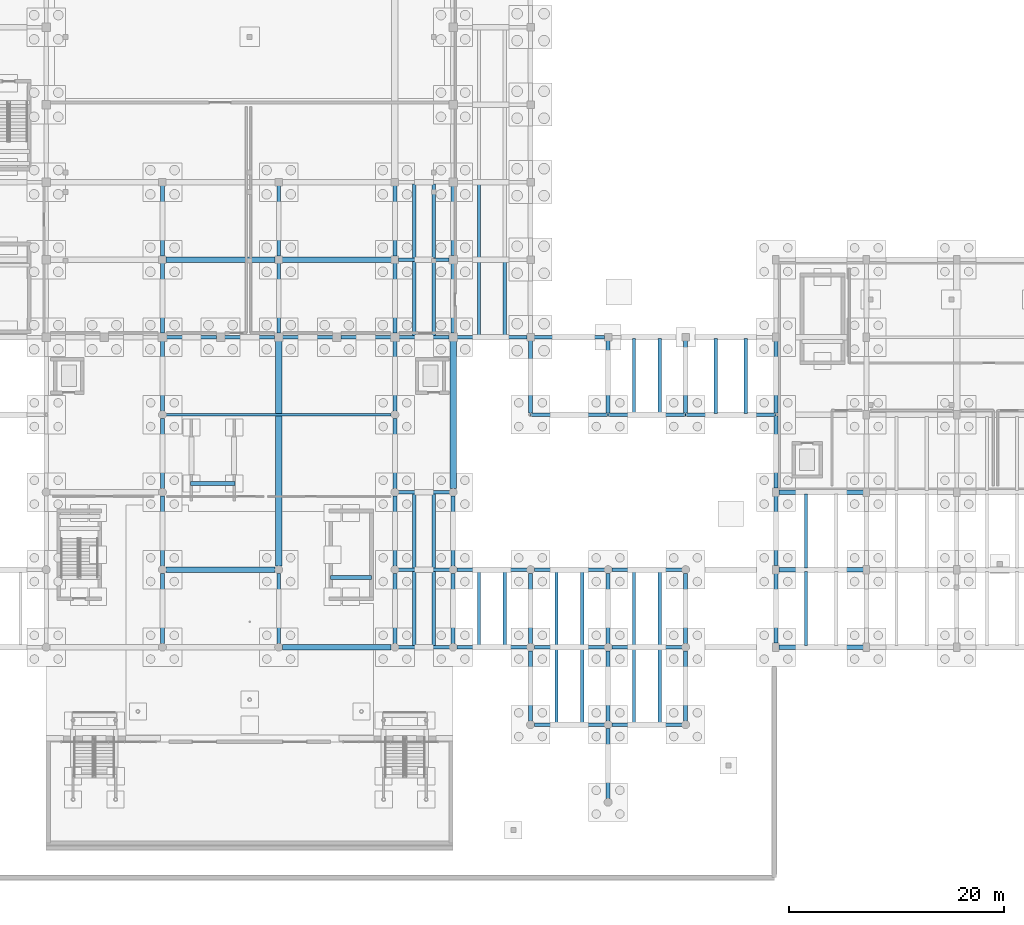
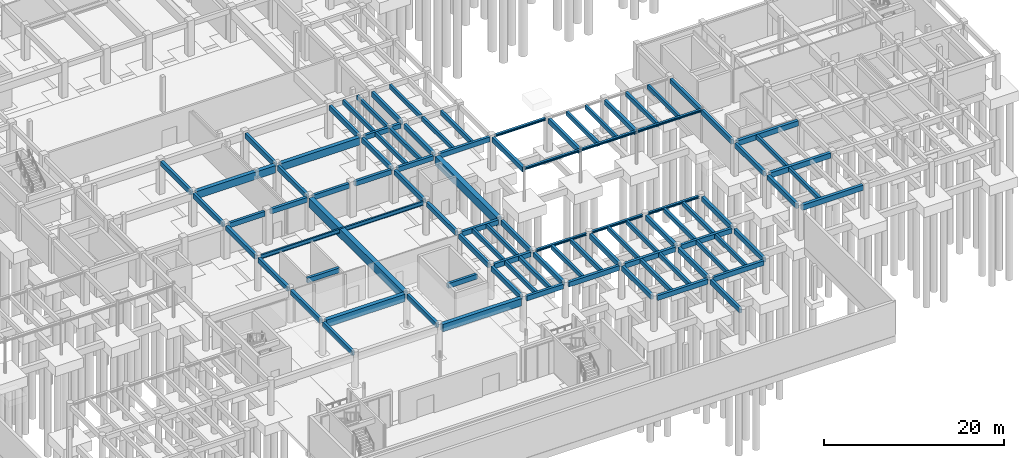
# One storey, part 20 of 46: 94 beams.
"""IFC4 building model written with IfcOpenShell, lengths in metres."""

from ifc_helpers import new_model, si_unit, direction, frame, origin, origin_2d, place, context, subcontext, project, spatial, rectangle, i_section, extrude, material, material_profile, profile_set, type_object, element, save


model = new_model("IFC4")

# Units and contexts
model_context = context("Model", 3, precision=1e-05, world=origin(), true_north=direction((0.0, 1.0)))
body_context = subcontext(model_context, "Body", "Model", "MODEL_VIEW")
ifc_project = project(units=[si_unit("LENGTHUNIT", "METRE"), si_unit("AREAUNIT", "SQUARE_METRE"), si_unit("VOLUMEUNIT", "CUBIC_METRE"), si_unit("PLANEANGLEUNIT", "RADIAN"), si_unit("MASSUNIT", "GRAM", prefix="KILO")], contexts=[model_context])

# Site, building, storey
site_placement = place(None, origin())
site = spatial("IfcSite", under=ifc_project, at=site_placement, CompositionType="ELEMENT")
building_placement = place(site_placement, origin())
building = spatial("IfcBuilding", under=site, at=building_placement, Name="Tazoul Stagehouse", CompositionType="ELEMENT")
storey_placement = place(building_placement, frame((0.0, 0.0, -4.800048828125)))
storey = spatial("IfcBuildingStorey", under=building, at=storey_placement, Name="B1", CompositionType="ELEMENT", Elevation=-4.800048828125)

# Beams
ifc_material_1 = material(Name="Concrete C40/50", Category="concrete")
ifc_material_profile_1 = material_profile(ifc_material_1, rectangle(XDim=0.60009765625, YDim=1.199951171875, at=origin_2d()), Name="RC 600x1200")
ifc_profile_set_1 = profile_set([ifc_material_profile_1], Name="Concrete C40/50")
beam_type_1 = type_object("IfcBeamType", Name="RC Long-Span Girder 600x1200", PredefinedType="BEAM", material=ifc_profile_set_1)
beam_1_placement = place(storey_placement, frame((79.199951171875, 30.550048828125, 3.91796875), z_axis=(0.0, 1.0, 0.0), x_axis=(-1.0, 0.0, 0.0)))
element("IfcBeam", 1, at=beam_1_placement, inside=storey, type_object=beam_type_1, Name="B1 Beam BM-05 12/E-H", PredefinedType="BEAM", context=body_context, shape_type="SweptSolid", body=[
    extrude(rectangle(XDim=0.60009765625, YDim=1.199951171875, at=origin_2d()), origin(), (0.0, 0.0, 1.0), 20.875),
])
ifc_material_profile_2 = material_profile(ifc_material_1, rectangle(XDim=0.60009765625, YDim=1.199951171875, at=origin_2d()), Name="RC 600x1200")
ifc_profile_set_2 = profile_set([ifc_material_profile_2], Name="Concrete C40/50")
beam_type_2 = type_object("IfcBeamType", Name="RC Long-Span Girder 600x1200 (Exterior)", PredefinedType="BEAM", material=ifc_profile_set_2)
beam_2_placement = place(storey_placement, frame((95.39990234375, 37.75, 3.91796875), z_axis=(0.0, 1.0, 0.0), x_axis=(-1.0, 0.0, 0.0)))
element("IfcBeam", 2, at=beam_2_placement, inside=storey, type_object=beam_type_2, Name="B1 Beam BM-05E 15/F-H", PredefinedType="BEAM", context=body_context, shape_type="SweptSolid", body=[
    extrude(rectangle(XDim=0.60009765625, YDim=1.199951171875, at=origin_2d()), origin(), (0.0, 0.0, 1.0), 13.675048828125),
])
ifc_material_profile_3 = material_profile(ifc_material_1, rectangle(XDim=0.35009765625, YDim=0.64990234375, at=origin_2d()), Name="RC 350x650")
ifc_profile_set_3 = profile_set([ifc_material_profile_3], Name="Concrete C40/50")
beam_type_3 = type_object("IfcBeamType", Name="RC Perimeter Spandrel 350x650 (Exterior)", PredefinedType="SPANDREL", material=ifc_profile_set_3)
for number, where, z_axis, x_axis, name in (
    (3, (95.39990234375, 30.550048828125, 4.213134765625), (0.0, 1.0, 0.0), (-1.0, 0.0, 0.0), "B1 Beam SP-01E 15/E-F"),
    (4, (117.0, 16.14990234375, 4.213134765625), (0.0, 1.0, 0.0), (-1.0, 0.0, 0.0), "B1 Beam SP-01E 18/C-D"),
    (5, (117.0, 23.35009765625, 4.213134765625), (0.0, 1.0, 0.0), (-1.0, 0.0, 0.0), "B1 Beam SP-01E 18/D-E"),
):
    element("IfcBeam", number, at=place(storey_placement, frame(where, z_axis=z_axis, x_axis=x_axis)), inside=storey, type_object=beam_type_3, Name=name, PredefinedType="SPANDREL", context=body_context, shape_type="SweptSolid", body=[
        extrude(rectangle(XDim=0.35009765625, YDim=0.64990234375, at=origin_2d()), origin(), (0.0, 0.0, 1.0), 6.5),
    ])
for number, where, z_axis, x_axis, name in (
    (6, (125.39990234375, 23.375, 4.193115234375), (0.0, 1.0, 0.0), (-1.0, 0.0, 0.0), "B1 Beam SP-01E 19/D-E"),
    (7, (125.39990234375, 30.574951171875, 4.193115234375), (0.0, 1.0, 0.0), (-1.0, 0.0, 0.0), "B1 Beam SP-01E 19/E-F"),
):
    element("IfcBeam", number, at=place(storey_placement, frame(where, z_axis=z_axis, x_axis=x_axis)), inside=storey, type_object=beam_type_3, Name=name, PredefinedType="SPANDREL", context=body_context, shape_type="SweptSolid", body=[
        extrude(rectangle(XDim=0.35009765625, YDim=0.64990234375, at=origin_2d()), origin(), (0.0, 0.0, 1.0), 6.449951171875),
    ])
beam_3_placement = place(storey_placement, frame((125.39990234375, 37.77490234375, 4.193115234375), z_axis=(0.0, 1.0, 0.0), x_axis=(-1.0, 0.0, 0.0)))
element("IfcBeam", 8, at=beam_3_placement, inside=storey, type_object=beam_type_3, Name="B1 Beam SP-01E 19/F-G", PredefinedType="SPANDREL", context=body_context, shape_type="SweptSolid", body=[
    extrude(rectangle(XDim=0.35009765625, YDim=0.64990234375, at=origin_2d()), origin(), (0.0, 0.0, 1.0), 6.688232421875),
])
ifc_material_profile_4 = material_profile(ifc_material_1, rectangle(XDim=0.35009765625, YDim=0.64990234375, at=origin_2d()), Name="RC 350x650")
ifc_profile_set_4 = profile_set([ifc_material_profile_4], Name="Concrete C40/50")
beam_type_4 = type_object("IfcBeamType", Name="RC Primary Girder 350x650", PredefinedType="BEAM", material=ifc_profile_set_4)
for number, where, z_axis, x_axis, name in (
    (9, (102.949951171875, 15.800048828125, 4.213134765625), (1.0, 0.0, 0.0), (0.0, 1.0, 0.0), "B1 Beam BM-01 C/16-17"),
    (10, (110.14990234375, 15.800048828125, 4.213134765625), (1.0, 0.0, 0.0), (0.0, 1.0, 0.0), "B1 Beam BM-01 C/17-18"),
):
    element("IfcBeam", number, at=place(storey_placement, frame(where, z_axis=z_axis, x_axis=x_axis)), inside=storey, type_object=beam_type_4, Name=name, PredefinedType="BEAM", context=body_context, shape_type="SweptSolid", body=[
        extrude(rectangle(XDim=0.35009765625, YDim=0.64990234375, at=origin_2d()), origin(), (0.0, 0.0, 1.0), 6.5),
    ])
beam_4_placement = place(storey_placement, frame((90.35009765625, 23.0, 4.213134765625), z_axis=(1.0, 0.0, 0.0), x_axis=(0.0, 1.0, 0.0)))
element("IfcBeam", 11, at=beam_4_placement, inside=storey, type_object=beam_type_4, Name="B1 Beam BM-01 D/14-15", PredefinedType="BEAM", context=body_context, shape_type="SweptSolid", body=[
    extrude(rectangle(XDim=0.35009765625, YDim=0.64990234375, at=origin_2d()), origin(), (0.0, 0.0, 1.0), 4.699951171875),
])
for number, where, z_axis, x_axis, name in (
    (12, (95.75, 23.0, 4.213134765625), (1.0, 0.0, 0.0), (0.0, 1.0, 0.0), "B1 Beam BM-01 D/15-16"),
    (13, (102.949951171875, 23.0, 4.213134765625), (1.0, 0.0, 0.0), (0.0, 1.0, 0.0), "B1 Beam BM-01 D/16-17"),
    (14, (110.14990234375, 23.0, 4.213134765625), (1.0, 0.0, 0.0), (0.0, 1.0, 0.0), "B1 Beam BM-01 D/17-18"),
):
    element("IfcBeam", number, at=place(storey_placement, frame(where, z_axis=z_axis, x_axis=x_axis)), inside=storey, type_object=beam_type_4, Name=name, PredefinedType="BEAM", context=body_context, shape_type="SweptSolid", body=[
        extrude(rectangle(XDim=0.35009765625, YDim=0.64990234375, at=origin_2d()), origin(), (0.0, 0.0, 1.0), 6.5),
    ])
for number, where, z_axis, x_axis, name in (
    (15, (90.35009765625, 30.199951171875, 4.213134765625), (1.0, 0.0, 0.0), (0.0, 1.0, 0.0), "B1 Beam BM-01 E/14-15"),
    (16, (90.35009765625, 37.39990234375, 4.213134765625), (1.0, 0.0, 0.0), (0.0, 1.0, 0.0), "B1 Beam BM-01 F/14-15"),
):
    element("IfcBeam", number, at=place(storey_placement, frame(where, z_axis=z_axis, x_axis=x_axis)), inside=storey, type_object=beam_type_4, Name=name, PredefinedType="BEAM", context=body_context, shape_type="SweptSolid", body=[
        extrude(rectangle(XDim=0.35009765625, YDim=0.64990234375, at=origin_2d()), origin(), (0.0, 0.0, 1.0), 4.699951171875),
    ])
beam_5_placement = place(storey_placement, frame((68.77490234375, 51.800048828125, 4.193115234375), z_axis=(1.0, 0.0, 0.0), x_axis=(0.0, 1.0, 0.0)))
element("IfcBeam", 17, at=beam_5_placement, inside=storey, type_object=beam_type_4, Name="B1 Beam BM-01 H/10-11", PredefinedType="BEAM", context=body_context, shape_type="SweptSolid", body=[
    extrude(rectangle(XDim=0.35009765625, YDim=0.64990234375, at=origin_2d()), origin(), (0.0, 0.0, 1.0), 4.650146484375),
])
beam_6_placement = place(storey_placement, frame((74.175048828125, 51.800048828125, 4.193115234375), z_axis=(1.0, 0.0, 0.0), x_axis=(0.0, 1.0, 0.0)))
element("IfcBeam", 18, at=beam_6_placement, inside=storey, type_object=beam_type_4, Name="B1 Beam BM-01 H/11-12", PredefinedType="BEAM", context=body_context, shape_type="SweptSolid", body=[
    extrude(rectangle(XDim=0.35009765625, YDim=0.64990234375, at=origin_2d()), origin(), (0.0, 0.0, 1.0), 4.64990234375),
])
beam_7_placement = place(storey_placement, frame((79.574951171875, 51.800048828125, 4.193115234375), z_axis=(1.0, 0.0, 0.0), x_axis=(0.0, 1.0, 0.0)))
element("IfcBeam", 19, at=beam_7_placement, inside=storey, type_object=beam_type_4, Name="B1 Beam BM-01 H/12-13", PredefinedType="BEAM", context=body_context, shape_type="SweptSolid", body=[
    extrude(rectangle(XDim=0.35009765625, YDim=0.64990234375, at=origin_2d()), origin(), (0.0, 0.0, 1.0), 4.650146484375),
])
for number, where, z_axis, x_axis, name in (
    (20, (84.97509765625, 51.800048828125, 4.193115234375), (1.0, 0.0, 0.0), (0.0, 1.0, 0.0), "B1 Beam BM-01 H/13-14"),
    (21, (90.375, 51.800048828125, 4.193115234375), (1.0, 0.0, 0.0), (0.0, 1.0, 0.0), "B1 Beam BM-01 H/14-15"),
):
    element("IfcBeam", number, at=place(storey_placement, frame(where, z_axis=z_axis, x_axis=x_axis)), inside=storey, type_object=beam_type_4, Name=name, PredefinedType="BEAM", context=body_context, shape_type="SweptSolid", body=[
        extrude(rectangle(XDim=0.35009765625, YDim=0.64990234375, at=origin_2d()), origin(), (0.0, 0.0, 1.0), 4.64990234375),
    ])
beam_8_placement = place(storey_placement, frame((95.77490234375, 51.800048828125, 4.193115234375), z_axis=(1.0, 0.0, 0.0), x_axis=(0.0, 1.0, 0.0)))
element("IfcBeam", 22, at=beam_8_placement, inside=storey, type_object=beam_type_4, Name="B1 Beam BM-01 H/15-16", PredefinedType="BEAM", context=body_context, shape_type="SweptSolid", body=[
    extrude(rectangle(XDim=0.35009765625, YDim=0.64990234375, at=origin_2d()), origin(), (0.0, 0.0, 1.0), 6.5),
])
beam_9_placement = place(storey_placement, frame((90.324951171875, 59.0, 4.193115234375), z_axis=(1.0, 0.0, 0.0), x_axis=(0.0, 1.0, 0.0)))
element("IfcBeam", 23, at=beam_9_placement, inside=storey, type_object=beam_type_4, Name="B1 Beam BM-01 J/14-15", PredefinedType="BEAM", context=body_context, shape_type="SweptSolid", body=[
    extrude(rectangle(XDim=0.35009765625, YDim=0.64990234375, at=origin_2d()), origin(), (0.0, 0.0, 1.0), 4.699951171875),
])
for number, where, z_axis, x_axis, name in (
    (24, (68.39990234375, 23.35009765625, 4.213134765625), (0.0, 1.0, 0.0), (-1.0, 0.0, 0.0), "B1 Beam BM-01 10/D-E"),
    (25, (68.39990234375, 30.550048828125, 4.213134765625), (0.0, 1.0, 0.0), (-1.0, 0.0, 0.0), "B1 Beam BM-01 10/E-F"),
    (26, (68.39990234375, 37.75, 4.213134765625), (0.0, 1.0, 0.0), (-1.0, 0.0, 0.0), "B1 Beam BM-01 10/F-G"),
):
    element("IfcBeam", number, at=place(storey_placement, frame(where, z_axis=z_axis, x_axis=x_axis)), inside=storey, type_object=beam_type_4, Name=name, PredefinedType="BEAM", context=body_context, shape_type="SweptSolid", body=[
        extrude(rectangle(XDim=0.35009765625, YDim=0.64990234375, at=origin_2d()), origin(), (0.0, 0.0, 1.0), 6.5),
    ])
beam_10_placement = place(storey_placement, frame((68.39990234375, 44.949951171875, 4.193115234375), z_axis=(0.0, 1.0, 0.0), x_axis=(-1.0, 0.0, 0.0)))
element("IfcBeam", 27, at=beam_10_placement, inside=storey, type_object=beam_type_4, Name="B1 Beam BM-01 10/G-H", PredefinedType="BEAM", context=body_context, shape_type="SweptSolid", body=[
    extrude(rectangle(XDim=0.35009765625, YDim=0.64990234375, at=origin_2d()), origin(), (0.0, 0.0, 1.0), 6.47509765625),
])
beam_11_placement = place(storey_placement, frame((68.39990234375, 52.175048828125, 4.193115234375), z_axis=(0.0, 1.0, 0.0), x_axis=(-1.0, 0.0, 0.0)))
element("IfcBeam", 28, at=beam_11_placement, inside=storey, type_object=beam_type_4, Name="B1 Beam BM-01 10/H-J", PredefinedType="BEAM", context=body_context, shape_type="SweptSolid", body=[
    extrude(rectangle(XDim=0.35009765625, YDim=0.64990234375, at=origin_2d()), origin(), (0.0, 0.0, 1.0), 6.5),
])
beam_12_placement = place(storey_placement, frame((68.39990234375, 59.324951171875, 4.193115234375), z_axis=(0.0, 1.0, 0.0), x_axis=(-1.0, 0.0, 0.0)))
element("IfcBeam", 29, at=beam_12_placement, inside=storey, type_object=beam_type_4, Name="B1 Beam BM-01 10/J-K", PredefinedType="BEAM", context=body_context, shape_type="SweptSolid", body=[
    extrude(rectangle(XDim=0.35009765625, YDim=0.64990234375, at=origin_2d()), origin(), (0.0, 0.0, 1.0), 6.550048828125),
])
for number, where, z_axis, x_axis, name in (
    (30, (79.199951171875, 23.35009765625, 4.213134765625), (0.0, 1.0, 0.0), (-1.0, 0.0, 0.0), "B1 Beam BM-01 12/D-E"),
    (31, (79.199951171875, 52.175048828125, 4.193115234375), (0.0, 1.0, 0.0), (-1.0, 0.0, 0.0), "B1 Beam BM-01 12/H-J"),
):
    element("IfcBeam", number, at=place(storey_placement, frame(where, z_axis=z_axis, x_axis=x_axis)), inside=storey, type_object=beam_type_4, Name=name, PredefinedType="BEAM", context=body_context, shape_type="SweptSolid", body=[
        extrude(rectangle(XDim=0.35009765625, YDim=0.64990234375, at=origin_2d()), origin(), (0.0, 0.0, 1.0), 6.5),
    ])
beam_13_placement = place(storey_placement, frame((79.199951171875, 59.324951171875, 4.193115234375), z_axis=(0.0, 1.0, 0.0), x_axis=(-1.0, 0.0, 0.0)))
element("IfcBeam", 32, at=beam_13_placement, inside=storey, type_object=beam_type_4, Name="B1 Beam BM-01 12/J-K", PredefinedType="BEAM", context=body_context, shape_type="SweptSolid", body=[
    extrude(rectangle(XDim=0.35009765625, YDim=0.64990234375, at=origin_2d()), origin(), (0.0, 0.0, 1.0), 6.550048828125),
])
for number, where, z_axis, x_axis, name in (
    (33, (90.0, 23.35009765625, 4.213134765625), (0.0, 1.0, 0.0), (-1.0, 0.0, 0.0), "B1 Beam BM-01 14/D-E"),
    (34, (90.0, 30.550048828125, 4.213134765625), (0.0, 1.0, 0.0), (-1.0, 0.0, 0.0), "B1 Beam BM-01 14/E-F"),
    (35, (90.0, 37.75, 4.213134765625), (0.0, 1.0, 0.0), (-1.0, 0.0, 0.0), "B1 Beam BM-01 14/F-G"),
):
    element("IfcBeam", number, at=place(storey_placement, frame(where, z_axis=z_axis, x_axis=x_axis)), inside=storey, type_object=beam_type_4, Name=name, PredefinedType="BEAM", context=body_context, shape_type="SweptSolid", body=[
        extrude(rectangle(XDim=0.35009765625, YDim=0.64990234375, at=origin_2d()), origin(), (0.0, 0.0, 1.0), 6.5),
    ])
beam_14_placement = place(storey_placement, frame((90.0, 44.949951171875, 4.193115234375), z_axis=(0.0, 1.0, 0.0), x_axis=(-1.0, 0.0, 0.0)))
element("IfcBeam", 36, at=beam_14_placement, inside=storey, type_object=beam_type_4, Name="B1 Beam BM-01 14/G-H", PredefinedType="BEAM", context=body_context, shape_type="SweptSolid", body=[
    extrude(rectangle(XDim=0.35009765625, YDim=0.64990234375, at=origin_2d()), origin(), (0.0, 0.0, 1.0), 6.47509765625),
])
beam_15_placement = place(storey_placement, frame((90.0, 52.175048828125, 4.193115234375), z_axis=(0.0, 1.0, 0.0), x_axis=(-1.0, 0.0, 0.0)))
element("IfcBeam", 37, at=beam_15_placement, inside=storey, type_object=beam_type_4, Name="B1 Beam BM-01 14/H-J", PredefinedType="BEAM", context=body_context, shape_type="SweptSolid", body=[
    extrude(rectangle(XDim=0.35009765625, YDim=0.64990234375, at=origin_2d()), origin(), (0.0, 0.0, 1.0), 6.5),
])
beam_16_placement = place(storey_placement, frame((90.0, 59.324951171875, 4.193115234375), z_axis=(0.0, 1.0, 0.0), x_axis=(-1.0, 0.0, 0.0)))
element("IfcBeam", 38, at=beam_16_placement, inside=storey, type_object=beam_type_4, Name="B1 Beam BM-01 14/J-K", PredefinedType="BEAM", context=body_context, shape_type="SweptSolid", body=[
    extrude(rectangle(XDim=0.35009765625, YDim=0.64990234375, at=origin_2d()), origin(), (0.0, 0.0, 1.0), 6.550048828125),
])
beam_17_placement = place(storey_placement, frame((95.39990234375, 23.35009765625, 4.213134765625), z_axis=(0.0, 1.0, 0.0), x_axis=(-1.0, 0.0, 0.0)))
element("IfcBeam", 39, at=beam_17_placement, inside=storey, type_object=beam_type_4, Name="B1 Beam BM-01 15/D-E", PredefinedType="BEAM", context=body_context, shape_type="SweptSolid", body=[
    extrude(rectangle(XDim=0.35009765625, YDim=0.64990234375, at=origin_2d()), origin(), (0.0, 0.0, 1.0), 6.5),
])
for number, where, z_axis, x_axis, name in (
    (40, (95.39990234375, 52.175048828125, 4.193115234375), (0.0, 1.0, 0.0), (-1.0, 0.0, 0.0), "B1 Beam BM-01 15/H-J"),
    (41, (95.39990234375, 59.375, 4.193115234375), (0.0, 1.0, 0.0), (-1.0, 0.0, 0.0), "B1 Beam BM-01 15/J-K"),
):
    element("IfcBeam", number, at=place(storey_placement, frame(where, z_axis=z_axis, x_axis=x_axis)), inside=storey, type_object=beam_type_4, Name=name, PredefinedType="BEAM", context=body_context, shape_type="SweptSolid", body=[
        extrude(rectangle(XDim=0.35009765625, YDim=0.64990234375, at=origin_2d()), origin(), (0.0, 0.0, 1.0), 6.449951171875),
    ])
for number, where, z_axis, x_axis, name in (
    (42, (102.60009765625, 16.14990234375, 4.213134765625), (0.0, 1.0, 0.0), (-1.0, 0.0, 0.0), "B1 Beam BM-01 16/C-D"),
    (43, (102.60009765625, 23.35009765625, 4.213134765625), (0.0, 1.0, 0.0), (-1.0, 0.0, 0.0), "B1 Beam BM-01 16/D-E"),
):
    element("IfcBeam", number, at=place(storey_placement, frame(where, z_axis=z_axis, x_axis=x_axis)), inside=storey, type_object=beam_type_4, Name=name, PredefinedType="BEAM", context=body_context, shape_type="SweptSolid", body=[
        extrude(rectangle(XDim=0.35009765625, YDim=0.64990234375, at=origin_2d()), origin(), (0.0, 0.0, 1.0), 6.5),
    ])
beam_18_placement = place(storey_placement, frame((102.60009765625, 44.737060546875, 4.193115234375), z_axis=(0.0, 1.0, 0.0), x_axis=(-1.0, 0.0, 0.0)))
element("IfcBeam", 44, at=beam_18_placement, inside=storey, type_object=beam_type_4, Name="B1 Beam BM-01 16/G-H", PredefinedType="BEAM", context=body_context, shape_type="SweptSolid", body=[
    extrude(rectangle(XDim=0.35009765625, YDim=0.64990234375, at=origin_2d()), origin(), (0.0, 0.0, 1.0), 6.738037109375),
])
for number, where, z_axis, x_axis, name in (
    (45, (109.800048828125, 8.949951171875, 4.213134765625), (0.0, 1.0, 0.0), (-1.0, 0.0, 0.0), "B1 Beam BM-01 17/B-C"),
    (46, (109.800048828125, 16.14990234375, 4.213134765625), (0.0, 1.0, 0.0), (-1.0, 0.0, 0.0), "B1 Beam BM-01 17/C-D"),
    (47, (109.800048828125, 23.35009765625, 4.213134765625), (0.0, 1.0, 0.0), (-1.0, 0.0, 0.0), "B1 Beam BM-01 17/D-E"),
):
    element("IfcBeam", number, at=place(storey_placement, frame(where, z_axis=z_axis, x_axis=x_axis)), inside=storey, type_object=beam_type_4, Name=name, PredefinedType="BEAM", context=body_context, shape_type="SweptSolid", body=[
        extrude(rectangle(XDim=0.35009765625, YDim=0.64990234375, at=origin_2d()), origin(), (0.0, 0.0, 1.0), 6.5),
    ])
for number, where, z_axis, x_axis, name in (
    (48, (109.800048828125, 44.737060546875, 4.213134765625), (0.0, 1.0, 0.0), (-1.0, 0.0, 0.0), "B1 Beam BM-01 17/G-H"),
    (49, (117.0, 44.737060546875, 4.213134765625), (0.0, 1.0, 0.0), (-1.0, 0.0, 0.0), "B1 Beam BM-01 18/G-H"),
):
    element("IfcBeam", number, at=place(storey_placement, frame(where, z_axis=z_axis, x_axis=x_axis)), inside=storey, type_object=beam_type_4, Name=name, PredefinedType="BEAM", context=body_context, shape_type="SweptSolid", body=[
        extrude(rectangle(XDim=0.35009765625, YDim=0.64990234375, at=origin_2d()), origin(), (0.0, 0.0, 1.0), 6.738037109375),
    ])
beam_19_placement = place(storey_placement, frame((125.39990234375, 44.737060546875, 4.193115234375), z_axis=(0.0, 1.0, 0.0), x_axis=(-1.0, 0.0, 0.0)))
element("IfcBeam", 50, at=beam_19_placement, inside=storey, type_object=beam_type_4, Name="B1 Beam BM-01 19/G-H", PredefinedType="BEAM", context=body_context, shape_type="SweptSolid", body=[
    extrude(rectangle(XDim=0.35009765625, YDim=0.64990234375, at=origin_2d()), origin(), (0.0, 0.0, 1.0), 6.68798828125),
])
beam_20_placement = place(storey_placement, frame((84.02001953125, 29.47998046875, 4.195068359375), z_axis=(1.0, 0.0, 0.0), x_axis=(0.0, 1.0, 0.0)))
element("IfcBeam", 51, at=beam_20_placement, inside=storey, type_object=beam_type_4, Name="B1 Stair Base Departure Trimmer BM-01 (ST-08-FL0)", PredefinedType="BEAM", context=body_context, shape_type="SweptSolid", body=[
    extrude(rectangle(XDim=0.35009765625, YDim=0.64990234375, at=origin_2d()), origin(), (0.0, 0.0, 1.0), 3.81005859375),
])
beam_21_placement = place(storey_placement, frame((71.02001953125, 38.199951171875, 4.195068359375), z_axis=(1.0, 0.0, 0.0), x_axis=(0.0, 1.0, 0.0)))
element("IfcBeam", 52, at=beam_21_placement, inside=storey, type_object=beam_type_4, Name="B1 Stair Base Departure Trimmer BM-01 (ST-ATR-01-FL0)", PredefinedType="BEAM", context=body_context, shape_type="SweptSolid", body=[
    extrude(rectangle(XDim=0.35009765625, YDim=0.64990234375, at=origin_2d()), origin(), (0.0, 0.0, 1.0), 4.10986328125),
])
ifc_material_profile_5 = material_profile(ifc_material_1, rectangle(XDim=0.39990234375, YDim=0.699951171875, at=origin_2d()), Name="RC 400x700")
ifc_profile_set_5 = profile_set([ifc_material_profile_5], Name="Concrete C40/50")
beam_type_5 = type_object("IfcBeamType", Name="RC Primary Girder 400x700", PredefinedType="BEAM", material=ifc_profile_set_5)
for number, where, z_axis, x_axis, name in (
    (53, (125.675048828125, 23.0, 4.16796875), (1.0, 0.0, 0.0), (0.0, 1.0, 0.0), "B1 Beam BM-02 D/19-20"),
    (54, (125.675048828125, 30.199951171875, 4.16796875), (1.0, 0.0, 0.0), (0.0, 1.0, 0.0), "B1 Beam BM-02 E/19-20"),
    (55, (125.675048828125, 37.39990234375, 4.16796875), (1.0, 0.0, 0.0), (0.0, 1.0, 0.0), "B1 Beam BM-02 F/19-20"),
):
    element("IfcBeam", number, at=place(storey_placement, frame(where, z_axis=z_axis, x_axis=x_axis)), inside=storey, type_object=beam_type_5, Name=name, PredefinedType="BEAM", context=body_context, shape_type="SweptSolid", body=[
        extrude(rectangle(XDim=0.39990234375, YDim=0.699951171875, at=origin_2d()), origin(), (0.0, 0.0, 1.0), 7.849853515625),
    ])
ifc_material_2 = material(Name="Concrete C35/45", Category="concrete")
ifc_material_profile_6 = material_profile(ifc_material_2, rectangle(XDim=0.300048828125, YDim=0.550048828125, at=origin_2d()), Name="RC 300x550")
ifc_profile_set_6 = profile_set([ifc_material_profile_6], Name="Concrete C35/45")
beam_type_6 = type_object("IfcBeamType", Name="RC Rib Joist 300x550", PredefinedType="JOIST", material=ifc_profile_set_6)
for number, where, z_axis, x_axis, name in (
    (56, (105.0, 15.949951171875, 4.262939453125), (0.0, 1.0, 0.0), (-1.0, 0.0, 0.0), "B1 Joist JS-06 16/C-1"),
    (57, (107.39990234375, 15.949951171875, 4.262939453125), (0.0, 1.0, 0.0), (-1.0, 0.0, 0.0), "B1 Joist JS-06 16/C-2"),
    (58, (112.199951171875, 15.949951171875, 4.262939453125), (0.0, 1.0, 0.0), (-1.0, 0.0, 0.0), "B1 Joist JS-06 17/C-1"),
    (59, (114.60009765625, 15.949951171875, 4.262939453125), (0.0, 1.0, 0.0), (-1.0, 0.0, 0.0), "B1 Joist JS-06 17/C-2"),
    (60, (91.800048828125, 23.14990234375, 4.262939453125), (0.0, 1.0, 0.0), (-1.0, 0.0, 0.0), "B1 Joist JS-06 14/D-1"),
    (61, (93.60009765625, 23.14990234375, 4.262939453125), (0.0, 1.0, 0.0), (-1.0, 0.0, 0.0), "B1 Joist JS-06 14/D-2"),
):
    element("IfcBeam", number, at=place(storey_placement, frame(where, z_axis=z_axis, x_axis=x_axis)), inside=storey, type_object=beam_type_6, Name=name, PredefinedType="JOIST", context=body_context, shape_type="SweptSolid", body=[
        extrude(rectangle(XDim=0.300048828125, YDim=0.550048828125, at=origin_2d()), origin(), (0.0, 0.0, 1.0), 6.900146484375),
    ])
for number, where, z_axis, x_axis, name in (
    (62, (97.800048828125, 23.14990234375, 4.262939453125), (0.0, 1.0, 0.0), (-1.0, 0.0, 0.0), "B1 Joist JS-06 15/D-1"),
    (63, (100.199951171875, 23.14990234375, 4.262939453125), (0.0, 1.0, 0.0), (-1.0, 0.0, 0.0), "B1 Joist JS-06 15/D-2"),
    (64, (105.0, 23.14990234375, 4.262939453125), (0.0, 1.0, 0.0), (-1.0, 0.0, 0.0), "B1 Joist JS-06 16/D-1"),
    (65, (107.39990234375, 23.14990234375, 4.262939453125), (0.0, 1.0, 0.0), (-1.0, 0.0, 0.0), "B1 Joist JS-06 16/D-2"),
    (66, (112.199951171875, 23.14990234375, 4.262939453125), (0.0, 1.0, 0.0), (-1.0, 0.0, 0.0), "B1 Joist JS-06 17/D-1"),
    (67, (114.60009765625, 23.14990234375, 4.262939453125), (0.0, 1.0, 0.0), (-1.0, 0.0, 0.0), "B1 Joist JS-06 17/D-2"),
):
    element("IfcBeam", number, at=place(storey_placement, frame(where, z_axis=z_axis, x_axis=x_axis)), inside=storey, type_object=beam_type_6, Name=name, PredefinedType="JOIST", context=body_context, shape_type="SweptSolid", body=[
        extrude(rectangle(XDim=0.300048828125, YDim=0.550048828125, at=origin_2d()), origin(), (0.0, 0.0, 1.0), 6.925048828125),
    ])
beam_22_placement = place(storey_placement, frame((128.199951171875, 23.175048828125, 4.2431640625), z_axis=(0.0, 1.0, 0.0), x_axis=(-1.0, 0.0, 0.0)))
element("IfcBeam", 68, at=beam_22_placement, inside=storey, type_object=beam_type_6, Name="B1 Joist JS-06 19/D-1", PredefinedType="JOIST", context=body_context, shape_type="SweptSolid", body=[
    extrude(rectangle(XDim=0.300048828125, YDim=0.550048828125, at=origin_2d()), origin(), (0.0, 0.0, 1.0), 6.849853515625),
])
for number, where, z_axis, x_axis, name in (
    (69, (91.800048828125, 30.35009765625, 4.262939453125), (0.0, 1.0, 0.0), (-1.0, 0.0, 0.0), "B1 Joist JS-06 14/E-1"),
    (70, (93.60009765625, 30.35009765625, 4.262939453125), (0.0, 1.0, 0.0), (-1.0, 0.0, 0.0), "B1 Joist JS-06 14/E-2"),
):
    element("IfcBeam", number, at=place(storey_placement, frame(where, z_axis=z_axis, x_axis=x_axis)), inside=storey, type_object=beam_type_6, Name=name, PredefinedType="JOIST", context=body_context, shape_type="SweptSolid", body=[
        extrude(rectangle(XDim=0.300048828125, YDim=0.550048828125, at=origin_2d()), origin(), (0.0, 0.0, 1.0), 6.89990234375),
    ])
beam_23_placement = place(storey_placement, frame((128.199951171875, 30.375, 4.2431640625), z_axis=(0.0, 1.0, 0.0), x_axis=(-1.0, 0.0, 0.0)))
element("IfcBeam", 71, at=beam_23_placement, inside=storey, type_object=beam_type_6, Name="B1 Joist JS-06 19/E-1", PredefinedType="JOIST", context=body_context, shape_type="SweptSolid", body=[
    extrude(rectangle(XDim=0.300048828125, YDim=0.550048828125, at=origin_2d()), origin(), (0.0, 0.0, 1.0), 6.85009765625),
])
for number, where, z_axis, x_axis, name in (
    (72, (112.199951171875, 44.72509765625, 4.262939453125), (0.0, 1.0, 0.0), (-1.0, 0.0, 0.0), "B1 Joist JS-06 17/G-1"),
    (73, (114.60009765625, 44.72509765625, 4.262939453125), (0.0, 1.0, 0.0), (-1.0, 0.0, 0.0), "B1 Joist JS-06 17/G-2"),
    (74, (119.800048828125, 44.72509765625, 4.2431640625), (0.0, 1.0, 0.0), (-1.0, 0.0, 0.0), "B1 Joist JS-06 18/G-1"),
    (75, (122.60009765625, 44.72509765625, 4.2431640625), (0.0, 1.0, 0.0), (-1.0, 0.0, 0.0), "B1 Joist JS-06 18/G-2"),
):
    element("IfcBeam", number, at=place(storey_placement, frame(where, z_axis=z_axis, x_axis=x_axis)), inside=storey, type_object=beam_type_6, Name=name, PredefinedType="JOIST", context=body_context, shape_type="SweptSolid", body=[
        extrude(rectangle(XDim=0.300048828125, YDim=0.550048828125, at=origin_2d()), origin(), (0.0, 0.0, 1.0), 6.949951171875),
    ])
for number, where, z_axis, x_axis, name in (
    (76, (91.800048828125, 51.949951171875, 4.2431640625), (0.0, 1.0, 0.0), (-1.0, 0.0, 0.0), "B1 Joist JS-06 14/H-1"),
    (77, (93.60009765625, 51.949951171875, 4.2431640625), (0.0, 1.0, 0.0), (-1.0, 0.0, 0.0), "B1 Joist JS-06 14/H-2"),
    (78, (97.800048828125, 51.949951171875, 4.2431640625), (0.0, 1.0, 0.0), (-1.0, 0.0, 0.0), "B1 Joist JS-06 15/H-1"),
    (79, (100.199951171875, 51.949951171875, 4.2431640625), (0.0, 1.0, 0.0), (-1.0, 0.0, 0.0), "B1 Joist JS-06 15/H-2"),
    (80, (91.800048828125, 59.14990234375, 4.2431640625), (0.0, 1.0, 0.0), (-1.0, 0.0, 0.0), "B1 Joist JS-06 14/J-1"),
    (81, (93.60009765625, 59.14990234375, 4.2431640625), (0.0, 1.0, 0.0), (-1.0, 0.0, 0.0), "B1 Joist JS-06 14/J-2"),
    (82, (97.800048828125, 59.14990234375, 4.2431640625), (0.0, 1.0, 0.0), (-1.0, 0.0, 0.0), "B1 Joist JS-06 15/J-1"),
):
    element("IfcBeam", number, at=place(storey_placement, frame(where, z_axis=z_axis, x_axis=x_axis)), inside=storey, type_object=beam_type_6, Name=name, PredefinedType="JOIST", context=body_context, shape_type="SweptSolid", body=[
        extrude(rectangle(XDim=0.300048828125, YDim=0.550048828125, at=origin_2d()), origin(), (0.0, 0.0, 1.0), 6.900146484375),
    ])
ifc_material_profile_7 = material_profile(ifc_material_1, rectangle(XDim=0.5, YDim=1.0, at=origin_2d()), Name="RC 500x1000")
ifc_profile_set_7 = profile_set([ifc_material_profile_7], Name="Concrete C40/50")
beam_type_7 = type_object("IfcBeamType", Name="RC Transfer Girder 500x1000", PredefinedType="BEAM", material=ifc_profile_set_7)
beam_24_placement = place(storey_placement, frame((79.550048828125, 23.0, 4.0380859375), z_axis=(1.0, 0.0, 0.0), x_axis=(0.0, 1.0, 0.0)))
element("IfcBeam", 83, at=beam_24_placement, inside=storey, type_object=beam_type_7, Name="B1 Beam BM-04 D/12-14", PredefinedType="BEAM", context=body_context, shape_type="SweptSolid", body=[
    extrude(rectangle(XDim=0.5, YDim=1.0, at=origin_2d()), origin(), (0.0, 0.0, 1.0), 10.099853515625),
])
beam_25_placement = place(storey_placement, frame((68.75, 30.199951171875, 4.0380859375), z_axis=(1.0, 0.0, 0.0), x_axis=(0.0, 1.0, 0.0)))
element("IfcBeam", 84, at=beam_25_placement, inside=storey, type_object=beam_type_7, Name="B1 Beam BM-04 E/10-12", PredefinedType="BEAM", context=body_context, shape_type="SweptSolid", body=[
    extrude(rectangle(XDim=0.5, YDim=1.0, at=origin_2d()), origin(), (0.0, 0.0, 1.0), 10.10009765625),
])
beam_26_placement = place(storey_placement, frame((68.72509765625, 59.0, 4.01806640625), z_axis=(1.0, 0.0, 0.0), x_axis=(0.0, 1.0, 0.0)))
element("IfcBeam", 85, at=beam_26_placement, inside=storey, type_object=beam_type_7, Name="B1 Beam BM-04 J/10-12", PredefinedType="BEAM", context=body_context, shape_type="SweptSolid", body=[
    extrude(rectangle(XDim=0.5, YDim=1.0, at=origin_2d()), origin(), (0.0, 0.0, 1.0), 10.14990234375),
])
beam_27_placement = place(storey_placement, frame((79.52490234375, 59.0, 4.01806640625), z_axis=(1.0, 0.0, 0.0), x_axis=(0.0, 1.0, 0.0)))
element("IfcBeam", 86, at=beam_27_placement, inside=storey, type_object=beam_type_7, Name="B1 Beam BM-04 J/12-14", PredefinedType="BEAM", context=body_context, shape_type="SweptSolid", body=[
    extrude(rectangle(XDim=0.5, YDim=1.0, at=origin_2d()), origin(), (0.0, 0.0, 1.0), 10.150146484375),
])
ifc_material_3 = material(Name="Steel S355", Category="steel")
ifc_material_profile_8 = material_profile(ifc_material_3, i_section(OverallWidth=0.300048828125, OverallDepth=0.2900390625, WebThickness=0.008544921875, FlangeThickness=0.013916015625, FilletRadius=0.027099609375, at=origin_2d()), Name="HEA 300")
ifc_profile_set_8 = profile_set([ifc_material_profile_8], Name="Steel S355")
beam_type_8 = type_object("IfcBeamType", Name="Steel Crescent Spandrel HEA 300 (Exterior)", PredefinedType="SPANDREL", material=ifc_profile_set_8)
for number, where, z_axis, x_axis, name in (
    (87, (95.75, 30.199951171875, 4.39306640625), (1.0, 0.0, 0.0), (0.0, 1.0, 0.0), "B1 Beam SP-03E E/15-16"),
    (88, (102.949951171875, 30.199951171875, 4.39306640625), (1.0, 0.0, 0.0), (0.0, 1.0, 0.0), "B1 Beam SP-03E E/16-17"),
    (89, (110.14990234375, 30.199951171875, 4.39306640625), (1.0, 0.0, 0.0), (0.0, 1.0, 0.0), "B1 Beam SP-03E E/17-18"),
):
    element("IfcBeam", number, at=place(storey_placement, frame(where, z_axis=z_axis, x_axis=x_axis)), inside=storey, type_object=beam_type_8, Name=name, PredefinedType="SPANDREL", context=body_context, shape_type="SweptSolid", body=[
        extrude(i_section(OverallWidth=0.300048828125, OverallDepth=0.2900390625, WebThickness=0.008544921875, FlangeThickness=0.013916015625, FilletRadius=0.027099609375, at=origin_2d()), origin(), (0.0, 0.0, 1.0), 6.5),
    ])
for number, where, z_axis, x_axis, name in (
    (90, (102.610107421875, 44.60009765625, 4.39306640625), (1.0, 0.0, 0.0), (0.0, 1.0, 0.0), "B1 Beam SP-03E G/16-17"),
    (91, (109.81005859375, 44.60009765625, 4.39306640625), (1.0, 0.0, 0.0), (0.0, 1.0, 0.0), "B1 Beam SP-03E G/17-18"),
):
    element("IfcBeam", number, at=place(storey_placement, frame(where, z_axis=z_axis, x_axis=x_axis)), inside=storey, type_object=beam_type_8, Name=name, PredefinedType="SPANDREL", context=body_context, shape_type="SweptSolid", body=[
        extrude(i_section(OverallWidth=0.300048828125, OverallDepth=0.2900390625, WebThickness=0.008544921875, FlangeThickness=0.013916015625, FilletRadius=0.027099609375, at=origin_2d()), origin(), (0.0, 0.0, 1.0), 7.179931640625),
    ])
beam_28_placement = place(storey_placement, frame((117.010009765625, 44.60009765625, 4.373046875), z_axis=(1.0, 0.0, 0.0), x_axis=(0.0, 1.0, 0.0)))
element("IfcBeam", 92, at=beam_28_placement, inside=storey, type_object=beam_type_8, Name="B1 Beam SP-03E G/18-19", PredefinedType="SPANDREL", context=body_context, shape_type="SweptSolid", body=[
    extrude(i_section(OverallWidth=0.300048828125, OverallDepth=0.2900390625, WebThickness=0.008544921875, FlangeThickness=0.013916015625, FilletRadius=0.027099609375, at=origin_2d()), origin(), (0.0, 0.0, 1.0), 8.3798828125),
])
beam_29_placement = place(storey_placement, frame((102.925048828125, 51.800048828125, 4.373046875), z_axis=(1.0, 0.0, 0.0), x_axis=(0.0, 1.0, 0.0)))
element("IfcBeam", 93, at=beam_29_placement, inside=storey, type_object=beam_type_8, Name="B1 Beam SP-03E H/16-17", PredefinedType="SPANDREL", context=body_context, shape_type="SweptSolid", body=[
    extrude(i_section(OverallWidth=0.300048828125, OverallDepth=0.2900390625, WebThickness=0.008544921875, FlangeThickness=0.013916015625, FilletRadius=0.027099609375, at=origin_2d()), origin(), (0.0, 0.0, 1.0), 6.550048828125),
])
ifc_material_profile_9 = material_profile(ifc_material_3, i_section(OverallWidth=0.2099609375, OverallDepth=0.550048828125, WebThickness=0.010986328125, FlangeThickness=0.01708984375, FilletRadius=0.02392578125, at=origin_2d()), Name="IPE 550")
ifc_profile_set_9 = profile_set([ifc_material_profile_9], Name="Steel S355")
beam_type_9 = type_object("IfcBeamType", Name="Steel Hall Girder IPE 550", PredefinedType="BEAM", material=ifc_profile_set_9)
beam_30_placement = place(storey_placement, frame((68.75, 44.60009765625, 4.262939453125), z_axis=(1.0, 0.0, 0.0), x_axis=(0.0, 1.0, 0.0)))
element("IfcBeam", 94, at=beam_30_placement, inside=storey, type_object=beam_type_9, Name="B1 Beam SB-05 G/10-14", PredefinedType="BEAM", context=body_context, shape_type="SweptSolid", body=[
    extrude(i_section(OverallWidth=0.2099609375, OverallDepth=0.550048828125, WebThickness=0.010986328125, FlangeThickness=0.01708984375, FilletRadius=0.02392578125, at=origin_2d()), origin(), (0.0, 0.0, 1.0), 20.89990234375),
])

save(model, "model.ifc")
